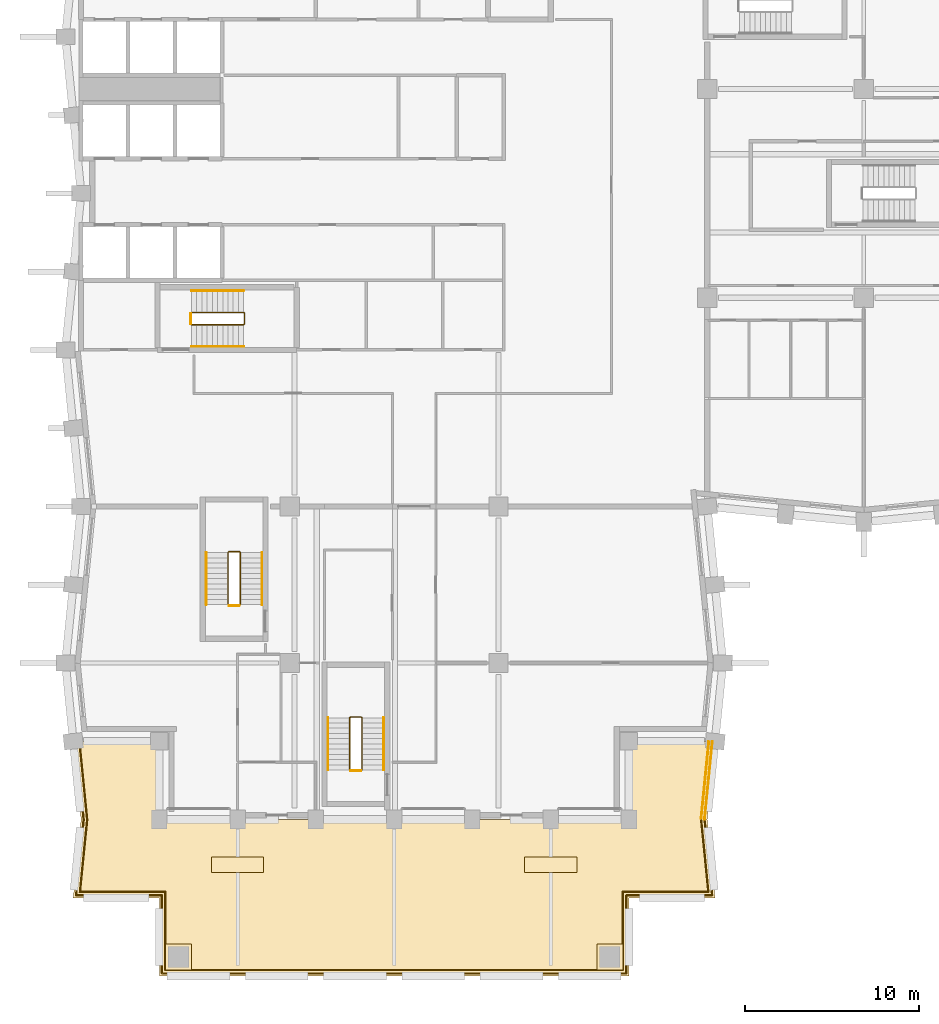
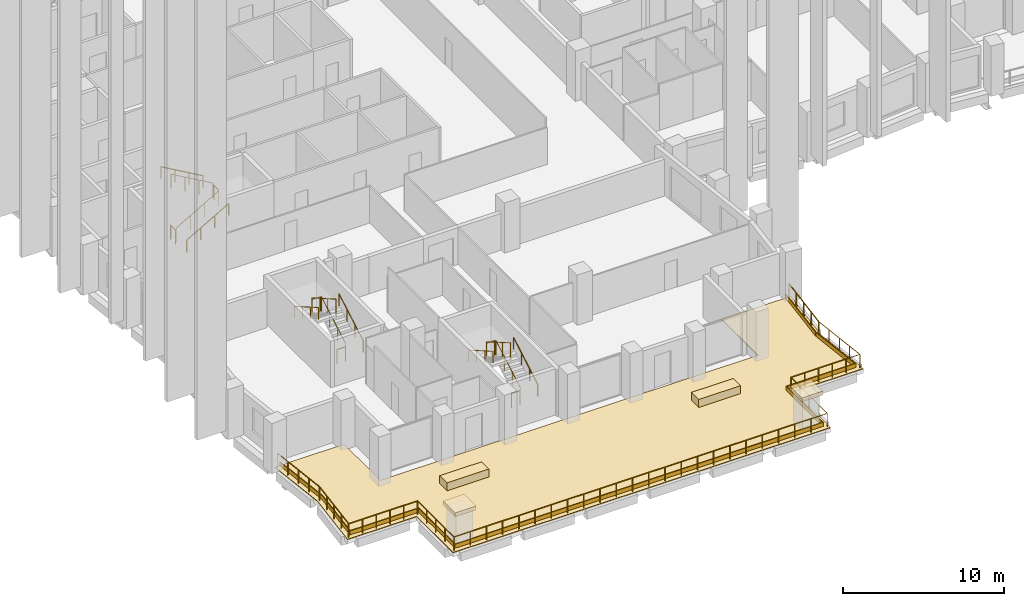
# One storey, part 16 of 18: 14 railings, 7 coverings.
"""IFC4 building model written with IfcOpenShell, lengths in metres."""

from ifc_helpers import new_model, si_unit, direction, frame, origin, origin_2d, place, context, subcontext, project, spatial, polyline, rectangle, circle, outline, extrude, material, layer, layer_set, type_object, element, save


model = new_model("IFC4")

# Units and contexts
model_context = context("Model", 3, precision=1e-05, world=origin(), true_north=direction((0.0, 1.0)))
body_context = subcontext(model_context, "Body", "Model", "MODEL_VIEW")
ifc_project = project(units=[si_unit("LENGTHUNIT", "METRE"), si_unit("AREAUNIT", "SQUARE_METRE"), si_unit("VOLUMEUNIT", "CUBIC_METRE"), si_unit("PLANEANGLEUNIT", "RADIAN"), si_unit("MASSUNIT", "GRAM", prefix="KILO")], contexts=[model_context])

# Site, building, storey
site_placement = place(None, origin())
site = spatial("IfcSite", under=ifc_project, at=site_placement, CompositionType="ELEMENT")
building_placement = place(site_placement, origin())
building = spatial("IfcBuilding", under=site, at=building_placement, Name="Brondeck Convention Tower", CompositionType="ELEMENT")
storey_placement = place(building_placement, frame((0.0, 0.0, 143.39990234375)))
storey = spatial("IfcBuildingStorey", under=building, at=storey_placement, Name="L34", CompositionType="ELEMENT", Elevation=143.39990234375)

# Railings
ifc_material_1 = material(Name="Steel S355, bronze painted", Category="steel")
railing_type_1 = type_object("IfcRailingType", Name="Guard, bronze steel rail and posts", PredefinedType="GUARDRAIL", material=ifc_material_1)
railing_1_placement = place(storey_placement, frame((35.8505859375, 8.985107421875, 0.0)))
element("IfcRailing", 1, at=railing_1_placement, inside=storey, type_object=railing_type_1, Name="ENV-S1-1a-RL1", PredefinedType="GUARDRAIL", context=body_context, shape_type="SweptSolid", body=[
    extrude(circle(Radius=0.02490234375, at=origin_2d()), frame((0.0, 0.0, 1.0751953125), z_axis=(0.099520363435, -0.995035525628, 0.0), x_axis=(0.995035525628, 0.099520363435, 0.0)), (0.0, 0.0, 1.0), 4.35693359375),
    extrude(circle(Radius=0.02490234375, at=origin_2d()), frame((0.43359375, -4.335205078125, 1.0751953125), z_axis=(-1.0, 0.0, 0.0), x_axis=(0.0, -1.0, 0.0)), (0.0, 0.0, 1.0), 4.93408203125),
    extrude(circle(Radius=0.02490234375, at=origin_2d()), frame((-4.50048828125, -4.335205078125, 1.0751953125), z_axis=(0.0, -1.0, 0.0), x_axis=(1.0, 0.0, 0.0)), (0.0, 0.0, 1.0), 4.5),
    extrude(circle(Radius=0.02490234375, at=origin_2d()), frame((-4.50048828125, -8.835205078125, 1.0751953125), z_axis=(-1.0, 0.0, 0.0), x_axis=(0.0, -1.0, 0.0)), (0.0, 0.0, 1.0), 26.7001953125),
    extrude(circle(Radius=0.02490234375, at=origin_2d()), frame((-31.20068359375, -8.835205078125, 1.0751953125), z_axis=(0.0, 1.0, 0.0), x_axis=(-1.0, 0.0, 0.0)), (0.0, 0.0, 1.0), 4.5),
    extrude(circle(Radius=0.02490234375, at=origin_2d()), frame((-31.20068359375, -4.335205078125, 1.0751953125), z_axis=(-1.0, 0.0, 0.0), x_axis=(0.0, -1.0, 0.0)), (0.0, 0.0, 1.0), 4.93408203125),
    extrude(circle(Radius=0.02490234375, at=origin_2d()), frame((-36.134765625, -4.335205078125, 1.0751953125), z_axis=(0.099459485464, 0.995041612573, 0.0), x_axis=(-0.995041612573, 0.099459485464, 0.0)), (0.0, 0.0, 1.0), 4.371826171875),
    extrude(circle(Radius=0.02490234375, at=origin_2d()), frame((-35.699951171875, 0.014892578125, 1.0751953125), z_axis=(-0.09946062227, 0.995041498943, 0.0), x_axis=(-0.995041498943, -0.09946062227, 0.0)), (0.0, 0.0, 1.0), 4.487060546875),
    extrude(circle(Radius=0.02490234375, at=origin_2d()), origin(), (0.0, 0.0, 1.0), 1.050048828125),
    extrude(circle(Radius=0.02490234375, at=origin_2d()), frame((0.1083984375, -1.083740234375, 0.0)), (0.0, 0.0, 1.0), 1.050048828125),
    extrude(circle(Radius=0.02490234375, at=origin_2d()), frame((0.216796875, -2.16748046875, 0.0)), (0.0, 0.0, 1.0), 1.050048828125),
    extrude(circle(Radius=0.02490234375, at=origin_2d()), frame((0.3251953125, -3.25146484375, 0.0)), (0.0, 0.0, 1.0), 1.050048828125),
    extrude(circle(Radius=0.02490234375, at=origin_2d()), frame((0.43359375, -4.335205078125, 0.0)), (0.0, 0.0, 1.0), 1.050048828125),
    extrude(circle(Radius=0.02490234375, at=origin_2d()), frame((-0.55322265625, -4.335205078125, 0.0)), (0.0, 0.0, 1.0), 1.050048828125),
    extrude(circle(Radius=0.02490234375, at=origin_2d()), frame((-1.5400390625, -4.335205078125, 0.0)), (0.0, 0.0, 1.0), 1.050048828125),
    extrude(circle(Radius=0.02490234375, at=origin_2d()), frame((-2.52685546875, -4.335205078125, 0.0)), (0.0, 0.0, 1.0), 1.050048828125),
    extrude(circle(Radius=0.02490234375, at=origin_2d()), frame((-3.513671875, -4.335205078125, 0.0)), (0.0, 0.0, 1.0), 1.050048828125),
    extrude(circle(Radius=0.02490234375, at=origin_2d()), frame((-4.50048828125, -4.335205078125, 0.0)), (0.0, 0.0, 1.0), 1.050048828125),
    extrude(circle(Radius=0.02490234375, at=origin_2d()), frame((-4.50048828125, -5.460205078125, 0.0)), (0.0, 0.0, 1.0), 1.050048828125),
    extrude(circle(Radius=0.02490234375, at=origin_2d()), frame((-4.50048828125, -6.585205078125, 0.0)), (0.0, 0.0, 1.0), 1.050048828125),
    extrude(circle(Radius=0.02490234375, at=origin_2d()), frame((-4.50048828125, -7.710205078125, 0.0)), (0.0, 0.0, 1.0), 1.050048828125),
    extrude(circle(Radius=0.02490234375, at=origin_2d()), frame((-4.50048828125, -8.835205078125, 0.0)), (0.0, 0.0, 1.0), 1.050048828125),
    extrude(circle(Radius=0.02490234375, at=origin_2d()), frame((-5.661376953125, -8.835205078125, 0.0)), (0.0, 0.0, 1.0), 1.050048828125),
    extrude(circle(Radius=0.02490234375, at=origin_2d()), frame((-6.822265625, -8.835205078125, 0.0)), (0.0, 0.0, 1.0), 1.050048828125),
    extrude(circle(Radius=0.02490234375, at=origin_2d()), frame((-7.983154296875, -8.835205078125, 0.0)), (0.0, 0.0, 1.0), 1.050048828125),
    extrude(circle(Radius=0.02490234375, at=origin_2d()), frame((-9.14404296875, -8.835205078125, 0.0)), (0.0, 0.0, 1.0), 1.050048828125),
    extrude(circle(Radius=0.02490234375, at=origin_2d()), frame((-10.304931640625, -8.835205078125, 0.0)), (0.0, 0.0, 1.0), 1.050048828125),
    extrude(circle(Radius=0.02490234375, at=origin_2d()), frame((-11.4658203125, -8.835205078125, 0.0)), (0.0, 0.0, 1.0), 1.050048828125),
    extrude(circle(Radius=0.02490234375, at=origin_2d()), frame((-12.626708984375, -8.835205078125, 0.0)), (0.0, 0.0, 1.0), 1.050048828125),
    extrude(circle(Radius=0.02490234375, at=origin_2d()), frame((-13.78759765625, -8.835205078125, 0.0)), (0.0, 0.0, 1.0), 1.050048828125),
    extrude(circle(Radius=0.02490234375, at=origin_2d()), frame((-14.948486328125, -8.835205078125, 0.0)), (0.0, 0.0, 1.0), 1.050048828125),
    extrude(circle(Radius=0.02490234375, at=origin_2d()), frame((-16.109375, -8.835205078125, 0.0)), (0.0, 0.0, 1.0), 1.050048828125),
    extrude(circle(Radius=0.02490234375, at=origin_2d()), frame((-17.270263671875, -8.835205078125, 0.0)), (0.0, 0.0, 1.0), 1.050048828125),
    extrude(circle(Radius=0.02490234375, at=origin_2d()), frame((-18.430908203125, -8.835205078125, 0.0)), (0.0, 0.0, 1.0), 1.050048828125),
    extrude(circle(Radius=0.02490234375, at=origin_2d()), frame((-19.591796875, -8.835205078125, 0.0)), (0.0, 0.0, 1.0), 1.050048828125),
    extrude(circle(Radius=0.02490234375, at=origin_2d()), frame((-20.752685546875, -8.835205078125, 0.0)), (0.0, 0.0, 1.0), 1.050048828125),
    extrude(circle(Radius=0.02490234375, at=origin_2d()), frame((-21.91357421875, -8.835205078125, 0.0)), (0.0, 0.0, 1.0), 1.050048828125),
    extrude(circle(Radius=0.02490234375, at=origin_2d()), frame((-23.074462890625, -8.835205078125, 0.0)), (0.0, 0.0, 1.0), 1.050048828125),
    extrude(circle(Radius=0.02490234375, at=origin_2d()), frame((-24.2353515625, -8.835205078125, 0.0)), (0.0, 0.0, 1.0), 1.050048828125),
    extrude(circle(Radius=0.02490234375, at=origin_2d()), frame((-25.396240234375, -8.835205078125, 0.0)), (0.0, 0.0, 1.0), 1.050048828125),
    extrude(circle(Radius=0.02490234375, at=origin_2d()), frame((-26.55712890625, -8.835205078125, 0.0)), (0.0, 0.0, 1.0), 1.050048828125),
    extrude(circle(Radius=0.02490234375, at=origin_2d()), frame((-27.718017578125, -8.835205078125, 0.0)), (0.0, 0.0, 1.0), 1.050048828125),
    extrude(circle(Radius=0.02490234375, at=origin_2d()), frame((-28.87890625, -8.835205078125, 0.0)), (0.0, 0.0, 1.0), 1.050048828125),
    extrude(circle(Radius=0.02490234375, at=origin_2d()), frame((-30.039794921875, -8.835205078125, 0.0)), (0.0, 0.0, 1.0), 1.050048828125),
    extrude(circle(Radius=0.02490234375, at=origin_2d()), frame((-31.20068359375, -8.835205078125, 0.0)), (0.0, 0.0, 1.0), 1.050048828125),
    extrude(circle(Radius=0.02490234375, at=origin_2d()), frame((-31.20068359375, -7.710205078125, 0.0)), (0.0, 0.0, 1.0), 1.050048828125),
    extrude(circle(Radius=0.02490234375, at=origin_2d()), frame((-31.20068359375, -6.585205078125, 0.0)), (0.0, 0.0, 1.0), 1.050048828125),
    extrude(circle(Radius=0.02490234375, at=origin_2d()), frame((-31.20068359375, -5.460205078125, 0.0)), (0.0, 0.0, 1.0), 1.050048828125),
    extrude(circle(Radius=0.02490234375, at=origin_2d()), frame((-31.20068359375, -4.335205078125, 0.0)), (0.0, 0.0, 1.0), 1.050048828125),
    extrude(circle(Radius=0.02490234375, at=origin_2d()), frame((-32.1875, -4.335205078125, 0.0)), (0.0, 0.0, 1.0), 1.050048828125),
    extrude(circle(Radius=0.02490234375, at=origin_2d()), frame((-33.17431640625, -4.335205078125, 0.0)), (0.0, 0.0, 1.0), 1.050048828125),
    extrude(circle(Radius=0.02490234375, at=origin_2d()), frame((-34.1611328125, -4.335205078125, 0.0)), (0.0, 0.0, 1.0), 1.050048828125),
    extrude(circle(Radius=0.02490234375, at=origin_2d()), frame((-35.14794921875, -4.335205078125, 0.0)), (0.0, 0.0, 1.0), 1.050048828125),
    extrude(circle(Radius=0.02490234375, at=origin_2d()), frame((-36.134765625, -4.335205078125, 0.0)), (0.0, 0.0, 1.0), 1.050048828125),
    extrude(circle(Radius=0.02490234375, at=origin_2d()), frame((-36.026123046875, -3.24755859375, 0.0)), (0.0, 0.0, 1.0), 1.050048828125),
    extrude(circle(Radius=0.02490234375, at=origin_2d()), frame((-35.91748046875, -2.16015625, 0.0)), (0.0, 0.0, 1.0), 1.050048828125),
    extrude(circle(Radius=0.02490234375, at=origin_2d()), frame((-35.80859375, -1.07275390625, 0.0)), (0.0, 0.0, 1.0), 1.050048828125),
    extrude(circle(Radius=0.02490234375, at=origin_2d()), frame((-35.699951171875, 0.014892578125, 0.0)), (0.0, 0.0, 1.0), 1.050048828125),
    extrude(circle(Radius=0.02490234375, at=origin_2d()), frame((-35.8115234375, 1.131103515625, 0.0)), (0.0, 0.0, 1.0), 1.050048828125),
    extrude(circle(Radius=0.02490234375, at=origin_2d()), frame((-35.923095703125, 2.247314453125, 0.0)), (0.0, 0.0, 1.0), 1.050048828125),
    extrude(circle(Radius=0.02490234375, at=origin_2d()), frame((-36.03466796875, 3.363525390625, 0.0)), (0.0, 0.0, 1.0), 1.050048828125),
    extrude(circle(Radius=0.02490234375, at=origin_2d()), frame((-36.146240234375, 4.479736328125, 0.0)), (0.0, 0.0, 1.0), 1.050048828125),
])
railing_2_placement = place(storey_placement, frame((36.295654296875, 13.46484375, 0.0)))
element("IfcRailing", 2, at=railing_2_placement, inside=storey, type_object=railing_type_1, Name="ENV-S1-1b-RL1", PredefinedType="GUARDRAIL", context=body_context, shape_type="SweptSolid", body=[
    extrude(circle(Radius=0.02490234375, at=origin_2d()), frame((0.0, 0.0, 1.0751953125), z_axis=(-0.099519934244, -0.995035568554, 0.0), x_axis=(0.995035568554, -0.099519934244, 0.0)), (0.0, 0.0, 1.0), 4.47216796875),
    extrude(circle(Radius=0.02490234375, at=origin_2d()), origin(), (0.0, 0.0, 1.0), 1.050048828125),
    extrude(circle(Radius=0.02490234375, at=origin_2d()), frame((-0.111328125, -1.112548828125, 0.0)), (0.0, 0.0, 1.0), 1.050048828125),
    extrude(circle(Radius=0.02490234375, at=origin_2d()), frame((-0.22265625, -2.22509765625, 0.0)), (0.0, 0.0, 1.0), 1.050048828125),
    extrude(circle(Radius=0.02490234375, at=origin_2d()), frame((-0.333740234375, -3.33740234375, 0.0)), (0.0, 0.0, 1.0), 1.050048828125),
    extrude(circle(Radius=0.02490234375, at=origin_2d()), frame((-0.445068359375, -4.449951171875, 0.0)), (0.0, 0.0, 1.0), 1.050048828125),
])

# Coverings
ifc_material_2 = material(Name="Aluminium, bronze anodised planter with soil", Category="aluminium")
ifc_layer_1 = layer(ifc_material_2, 0.199951171875)
ifc_layer_set_1 = layer_set([ifc_layer_1], Name="Roof planter")
covering_type_1 = type_object("IfcCoveringType", Name="Roof planter", PredefinedType="USERDEFINED", material=ifc_layer_set_1)
for number, where, z_axis, x_axis, name in (
    (3, (9.0, 6.39990234375, 0.050048828125), (0.0, 0.0, 1.0), (1.0, 0.0, 0.0), "ENV-S1-1-PL01"),
    (4, (27.0, 6.39990234375, 0.050048828125), (0.0, 0.0, 1.0), (1.0, 0.0, 0.0), "ENV-S1-1-PL02"),
):
    element("IfcCovering", number, at=place(storey_placement, frame(where, z_axis=z_axis, x_axis=x_axis)), inside=storey, type_object=covering_type_1, Name=name, ObjectType="PLANTER", PredefinedType="USERDEFINED", context=body_context, shape_type="SweptSolid", body=[
        extrude(rectangle(XDim=3.0, YDim=0.89990234375, at=origin_2d()), origin(), (0.0, 0.0, 1.0), 0.60009765625),
    ])
ifc_material_3 = material(Name="Aluminium, bronze anodised", Category="aluminium")
ifc_layer_2 = layer(ifc_material_3, 0.050048828125)
ifc_layer_set_2 = layer_set([ifc_layer_2], Name="Snow retention bar")
covering_type_2 = type_object("IfcCoveringType", Name="Snow retention bar", PredefinedType="MOLDING", material=ifc_layer_set_2)
covering_1_placement = place(storey_placement, frame((0.0, 0.0, 0.050048828125)))
element("IfcCovering", 5, at=covering_1_placement, inside=storey, type_object=covering_type_2, Name="ENV-S1-1a-SR1", PredefinedType="MOLDING", context=body_context, shape_type="SweptSolid", body=[
    extrude(outline(polyline([(36.0908203125, 4.824951171875), (35.676513671875, 8.9677734375), (35.626953125, 8.962646484375), (36.03564453125, 4.875), (31.125, 4.875), (31.125, 0.375), (4.875, 0.375), (4.875, 4.875), (-0.03564453125, 4.875), (0.376953125, 9.0), (-0.072021484375, 13.4873046875), (-0.12158203125, 13.482421875), (0.32666015625, 9.0), (-0.0908203125, 4.824951171875), (4.824951171875, 4.824951171875), (4.824951171875, 0.324951171875), (31.175048828125, 0.324951171875), (31.175048828125, 4.824951171875), (36.0908203125, 4.824951171875)])), origin(), (0.0, 0.0, 1.0), 0.300048828125),
])
covering_2_placement = place(storey_placement, frame((0.0, 0.0, 0.050048828125)))
element("IfcCovering", 6, at=covering_2_placement, inside=storey, type_object=covering_type_2, Name="ENV-S1-1b-SR1", PredefinedType="MOLDING", context=body_context, shape_type="SweptSolid", body=[
    extrude(outline(polyline([(35.676513671875, 9.0322265625), (36.12158203125, 13.482421875), (36.072021484375, 13.4873046875), (35.626953125, 9.037353515625), (35.676513671875, 9.0322265625)])), origin(), (0.0, 0.0, 1.0), 0.300048828125),
])

# Railings
ifc_material_4 = material(Name="Steel S355", Category="steel")
railing_type_2 = type_object("IfcRailingType", Name="Stair guard 1100", PredefinedType="GUARDRAIL", material=ifc_material_4)
railing_3_placement = place(storey_placement, frame((6.35009765625, 37.449951171875, 0.1728515625)))
element("IfcRailing", 7, at=railing_3_placement, inside=storey, type_object=railing_type_2, Name="L34 ST-1 stair guard 1", PredefinedType="GUARDRAIL", context=body_context, shape_type="SweptSolid", body=[
    extrude(circle(Radius=0.02392578125, at=origin_2d()), frame((0.0, 0.0, 1.076171875), z_axis=(0.866619684472, 0.0, 0.498969260062), x_axis=(0.0, 1.0, 0.0)), (0.0, 0.0, 1.0), 3.461669921875),
    extrude(circle(Radius=0.02392578125, at=origin_2d()), frame((3.0, 0.0, 2.80322265625), z_axis=(0.705375805398, 0.708833529934, 0.0), x_axis=(-0.708833529934, 0.705375805398, 0.0)), (0.0, 0.0, 1.0), 0.070556640625),
    extrude(circle(Radius=0.02392578125, at=origin_2d()), frame((3.0498046875, 0.050048828125, 2.80322265625), z_axis=(0.0, 1.0, 0.0), x_axis=(-1.0, 0.0, 0.0)), (0.0, 0.0, 1.0), 0.60009765625),
    extrude(circle(Radius=0.02392578125, at=origin_2d()), frame((3.0498046875, 0.650146484375, 2.80322265625), z_axis=(-0.26715648603, 0.26715648603, 0.925880566782), x_axis=(-0.707106781187, -0.707106781187, 0.0)), (0.0, 0.0, 1.0), 0.1865234375),
    extrude(circle(Radius=0.02392578125, at=origin_2d()), frame((3.0, 0.699951171875, 2.97607421875), z_axis=(-0.866619684472, 0.0, 0.498969260062), x_axis=(0.0, -1.0, 0.0)), (0.0, 0.0, 1.0), 3.461669921875),
    extrude(circle(Radius=0.02099609375, at=origin_2d()), origin(), (0.0, 0.0, 1.0), 1.052001953125),
    extrude(circle(Radius=0.02099609375, at=origin_2d()), frame((1.0, 0.0, 0.57568359375)), (0.0, 0.0, 1.0), 1.052001953125),
    extrude(circle(Radius=0.02099609375, at=origin_2d()), frame((2.0, 0.0, 1.151611328125)), (0.0, 0.0, 1.0), 1.052001953125),
    extrude(circle(Radius=0.02099609375, at=origin_2d()), frame((3.0, 0.0, 1.727294921875)), (0.0, 0.0, 1.0), 1.052001953125),
    extrude(circle(Radius=0.02099609375, at=origin_2d()), frame((3.0498046875, 0.050048828125, 1.727294921875)), (0.0, 0.0, 1.0), 1.052001953125),
    extrude(circle(Radius=0.02099609375, at=origin_2d()), frame((3.0498046875, 0.650146484375, 1.727294921875)), (0.0, 0.0, 1.0), 1.052001953125),
    extrude(circle(Radius=0.02099609375, at=origin_2d()), frame((3.0, 0.699951171875, 1.89990234375)), (0.0, 0.0, 1.0), 1.052001953125),
    extrude(circle(Radius=0.02099609375, at=origin_2d()), frame((2.0, 0.699951171875, 2.4755859375)), (0.0, 0.0, 1.0), 1.052001953125),
    extrude(circle(Radius=0.02099609375, at=origin_2d()), frame((1.0, 0.699951171875, 3.051513671875)), (0.0, 0.0, 1.0), 1.052001953125),
    extrude(circle(Radius=0.02099609375, at=origin_2d()), frame((0.0, 0.699951171875, 3.627197265625)), (0.0, 0.0, 1.0), 1.052001953125),
])
railing_4_placement = place(storey_placement, frame((6.300048828125, 37.5, 0.0)))
element("IfcRailing", 8, at=railing_4_placement, inside=storey, type_object=railing_type_2, Name="L34 ST-1 stair guard 2", PredefinedType="GUARDRAIL", context=body_context, shape_type="SweptSolid", body=[
    extrude(circle(Radius=0.02392578125, at=origin_2d()), frame((0.0, 0.0, 1.076171875), z_axis=(0.0, 1.0, 0.0), x_axis=(-1.0, 0.0, 0.0)), (0.0, 0.0, 1.0), 0.60009765625),
    extrude(circle(Radius=0.02099609375, at=origin_2d()), origin(), (0.0, 0.0, 1.0), 1.052001953125),
    extrude(circle(Radius=0.02099609375, at=origin_2d()), frame((0.0, 0.60009765625, 0.0)), (0.0, 0.0, 1.0), 1.052001953125),
])
railing_5_placement = place(storey_placement, frame((9.14990234375, 21.35009765625, 0.1728515625)))
element("IfcRailing", 9, at=railing_5_placement, inside=storey, type_object=railing_type_2, Name="L34 ST-BE stair guard 1", PredefinedType="GUARDRAIL", context=body_context, shape_type="SweptSolid", body=[
    extrude(circle(Radius=0.02392578125, at=origin_2d()), frame((0.0, 0.0, 1.076171875), z_axis=(0.0, 0.866619684472, 0.498969260062), x_axis=(-1.0, 0.0, 0.0)), (0.0, 0.0, 1.0), 3.461669921875),
    extrude(circle(Radius=0.02392578125, at=origin_2d()), frame((0.0, 3.0, 2.80322265625), z_axis=(-0.707106781187, 0.707106781187, 0.0), x_axis=(-0.707106781187, -0.707106781187, 0.0)), (0.0, 0.0, 1.0), 0.0703125),
    extrude(circle(Radius=0.02392578125, at=origin_2d()), frame((-0.0498046875, 3.0498046875, 2.80322265625), z_axis=(-1.0, 0.0, 0.0), x_axis=(0.0, -1.0, 0.0)), (0.0, 0.0, 1.0), 0.60009765625),
    extrude(circle(Radius=0.02392578125, at=origin_2d()), frame((-0.64990234375, 3.0498046875, 2.80322265625), z_axis=(-0.268371968888, -0.267062837333, 0.925556009775), x_axis=(0.705375805398, -0.708833529934, 0.0)), (0.0, 0.0, 1.0), 0.1865234375),
    extrude(circle(Radius=0.02392578125, at=origin_2d()), frame((-0.699951171875, 3.0, 2.97607421875), z_axis=(0.0, -0.866619684472, 0.498969260062), x_axis=(1.0, 0.0, 0.0)), (0.0, 0.0, 1.0), 3.461669921875),
    extrude(circle(Radius=0.02099609375, at=origin_2d()), origin(), (0.0, 0.0, 1.0), 1.052001953125),
    extrude(circle(Radius=0.02099609375, at=origin_2d()), frame((0.0, 1.0, 0.57568359375)), (0.0, 0.0, 1.0), 1.052001953125),
    extrude(circle(Radius=0.02099609375, at=origin_2d()), frame((0.0, 2.0, 1.151611328125)), (0.0, 0.0, 1.0), 1.052001953125),
    extrude(circle(Radius=0.02099609375, at=origin_2d()), frame((0.0, 3.0, 1.727294921875)), (0.0, 0.0, 1.0), 1.052001953125),
    extrude(circle(Radius=0.02099609375, at=origin_2d()), frame((-0.0498046875, 3.0498046875, 1.727294921875)), (0.0, 0.0, 1.0), 1.052001953125),
    extrude(circle(Radius=0.02099609375, at=origin_2d()), frame((-0.64990234375, 3.0498046875, 1.727294921875)), (0.0, 0.0, 1.0), 1.052001953125),
    extrude(circle(Radius=0.02099609375, at=origin_2d()), frame((-0.699951171875, 3.0, 1.89990234375)), (0.0, 0.0, 1.0), 1.052001953125),
    extrude(circle(Radius=0.02099609375, at=origin_2d()), frame((-0.699951171875, 2.0, 2.4755859375)), (0.0, 0.0, 1.0), 1.052001953125),
    extrude(circle(Radius=0.02099609375, at=origin_2d()), frame((-0.699951171875, 1.0, 3.051513671875)), (0.0, 0.0, 1.0), 1.052001953125),
    extrude(circle(Radius=0.02099609375, at=origin_2d()), frame((-0.699951171875, 0.0, 3.627197265625)), (0.0, 0.0, 1.0), 1.052001953125),
])
railing_6_placement = place(storey_placement, frame((9.10009765625, 21.300048828125, 0.0)))
element("IfcRailing", 10, at=railing_6_placement, inside=storey, type_object=railing_type_2, Name="L34 ST-BE stair guard 2", PredefinedType="GUARDRAIL", context=body_context, shape_type="SweptSolid", body=[
    extrude(circle(Radius=0.02392578125, at=origin_2d()), frame((0.0, 0.0, 1.076171875), z_axis=(-1.0, 0.0, 0.0), x_axis=(0.0, -1.0, 0.0)), (0.0, 0.0, 1.0), 0.60009765625),
    extrude(circle(Radius=0.02099609375, at=origin_2d()), origin(), (0.0, 0.0, 1.0), 1.052001953125),
    extrude(circle(Radius=0.02099609375, at=origin_2d()), frame((-0.60009765625, 0.0, 0.0)), (0.0, 0.0, 1.0), 1.052001953125),
])
railing_7_placement = place(storey_placement, frame((16.14990234375, 11.85009765625, 0.1728515625)))
element("IfcRailing", 11, at=railing_7_placement, inside=storey, type_object=railing_type_2, Name="L34 ST-BF stair guard 1", PredefinedType="GUARDRAIL", context=body_context, shape_type="SweptSolid", body=[
    extrude(circle(Radius=0.02392578125, at=origin_2d()), frame((0.0, 0.0, 1.076171875), z_axis=(0.0, 0.866619684472, 0.498969260062), x_axis=(-1.0, 0.0, 0.0)), (0.0, 0.0, 1.0), 3.461669921875),
    extrude(circle(Radius=0.02392578125, at=origin_2d()), frame((0.0, 3.0, 2.80322265625), z_axis=(-0.707106781187, 0.707106781187, 0.0), x_axis=(-0.707106781187, -0.707106781187, 0.0)), (0.0, 0.0, 1.0), 0.0703125),
    extrude(circle(Radius=0.02392578125, at=origin_2d()), frame((-0.0498046875, 3.0498046875, 2.80322265625), z_axis=(-1.0, 0.0, 0.0), x_axis=(0.0, -1.0, 0.0)), (0.0, 0.0, 1.0), 0.60009765625),
    extrude(circle(Radius=0.02392578125, at=origin_2d()), frame((-0.64990234375, 3.0498046875, 2.80322265625), z_axis=(-0.268371968888, -0.267062837333, 0.925556009775), x_axis=(0.705375805398, -0.708833529934, 0.0)), (0.0, 0.0, 1.0), 0.1865234375),
    extrude(circle(Radius=0.02392578125, at=origin_2d()), frame((-0.699951171875, 3.0, 2.97607421875), z_axis=(0.0, -0.866619684472, 0.498969260062), x_axis=(1.0, 0.0, 0.0)), (0.0, 0.0, 1.0), 3.461669921875),
    extrude(circle(Radius=0.02099609375, at=origin_2d()), origin(), (0.0, 0.0, 1.0), 1.052001953125),
    extrude(circle(Radius=0.02099609375, at=origin_2d()), frame((0.0, 1.0, 0.57568359375)), (0.0, 0.0, 1.0), 1.052001953125),
    extrude(circle(Radius=0.02099609375, at=origin_2d()), frame((0.0, 2.0, 1.151611328125)), (0.0, 0.0, 1.0), 1.052001953125),
    extrude(circle(Radius=0.02099609375, at=origin_2d()), frame((0.0, 3.0, 1.727294921875)), (0.0, 0.0, 1.0), 1.052001953125),
    extrude(circle(Radius=0.02099609375, at=origin_2d()), frame((-0.0498046875, 3.0498046875, 1.727294921875)), (0.0, 0.0, 1.0), 1.052001953125),
    extrude(circle(Radius=0.02099609375, at=origin_2d()), frame((-0.64990234375, 3.0498046875, 1.727294921875)), (0.0, 0.0, 1.0), 1.052001953125),
    extrude(circle(Radius=0.02099609375, at=origin_2d()), frame((-0.699951171875, 3.0, 1.89990234375)), (0.0, 0.0, 1.0), 1.052001953125),
    extrude(circle(Radius=0.02099609375, at=origin_2d()), frame((-0.699951171875, 2.0, 2.4755859375)), (0.0, 0.0, 1.0), 1.052001953125),
    extrude(circle(Radius=0.02099609375, at=origin_2d()), frame((-0.699951171875, 1.0, 3.051513671875)), (0.0, 0.0, 1.0), 1.052001953125),
    extrude(circle(Radius=0.02099609375, at=origin_2d()), frame((-0.699951171875, 0.0, 3.627197265625)), (0.0, 0.0, 1.0), 1.052001953125),
])
railing_8_placement = place(storey_placement, frame((16.10009765625, 11.800048828125, 0.0)))
element("IfcRailing", 12, at=railing_8_placement, inside=storey, type_object=railing_type_2, Name="L34 ST-BF stair guard 2", PredefinedType="GUARDRAIL", context=body_context, shape_type="SweptSolid", body=[
    extrude(circle(Radius=0.02392578125, at=origin_2d()), frame((0.0, 0.0, 1.076171875), z_axis=(-1.0, 0.0, 0.0), x_axis=(0.0, -1.0, 0.0)), (0.0, 0.0, 1.0), 0.60009765625),
    extrude(circle(Radius=0.02099609375, at=origin_2d()), origin(), (0.0, 0.0, 1.0), 1.052001953125),
    extrude(circle(Radius=0.02099609375, at=origin_2d()), frame((-0.60009765625, 0.0, 0.0)), (0.0, 0.0, 1.0), 1.052001953125),
])
railing_type_3 = type_object("IfcRailingType", Name="Stair handrail", PredefinedType="HANDRAIL", material=ifc_material_4)
railing_9_placement = place(storey_placement, frame((6.35009765625, 36.199951171875, 0.1728515625)))
element("IfcRailing", 13, at=railing_9_placement, inside=storey, type_object=railing_type_3, Name="L34 ST-1 stair handrail 1", PredefinedType="HANDRAIL", context=body_context, shape_type="SweptSolid", body=[
    extrude(circle(Radius=0.02392578125, at=origin_2d()), frame((0.0, 0.0, 0.8759765625), z_axis=(0.866619684472, 0.0, 0.498969260062), x_axis=(0.0, 1.0, 0.0)), (0.0, 0.0, 1.0), 3.461669921875),
    extrude(circle(Radius=0.02099609375, at=origin_2d()), origin(), (0.0, 0.0, 1.0), 0.851806640625),
    extrude(circle(Radius=0.02099609375, at=origin_2d()), frame((1.0, 0.0, 0.57568359375)), (0.0, 0.0, 1.0), 0.851806640625),
    extrude(circle(Radius=0.02099609375, at=origin_2d()), frame((2.0, 0.0, 1.151611328125)), (0.0, 0.0, 1.0), 0.851806640625),
    extrude(circle(Radius=0.02099609375, at=origin_2d()), frame((3.0, 0.0, 1.727294921875)), (0.0, 0.0, 1.0), 0.851806640625),
])
railing_10_placement = place(storey_placement, frame((9.35009765625, 39.39990234375, 2.07275390625)))
element("IfcRailing", 14, at=railing_10_placement, inside=storey, type_object=railing_type_3, Name="L34 ST-1 stair handrail 2", PredefinedType="HANDRAIL", context=body_context, shape_type="SweptSolid", body=[
    extrude(circle(Radius=0.02392578125, at=origin_2d()), frame((0.0, 0.0, 0.8759765625), z_axis=(-0.866619684472, 0.0, 0.498969260062), x_axis=(0.0, -1.0, 0.0)), (0.0, 0.0, 1.0), 3.461669921875),
    extrude(circle(Radius=0.02099609375, at=origin_2d()), origin(), (0.0, 0.0, 1.0), 0.851806640625),
    extrude(circle(Radius=0.02099609375, at=origin_2d()), frame((-1.0, 0.0, 0.57568359375)), (0.0, 0.0, 1.0), 0.851806640625),
    extrude(circle(Radius=0.02099609375, at=origin_2d()), frame((-2.0, 0.0, 1.151611328125)), (0.0, 0.0, 1.0), 0.851806640625),
    extrude(circle(Radius=0.02099609375, at=origin_2d()), frame((-3.0, 0.0, 1.727294921875)), (0.0, 0.0, 1.0), 0.851806640625),
])
railing_11_placement = place(storey_placement, frame((10.39990234375, 21.35009765625, 0.1728515625)))
element("IfcRailing", 15, at=railing_11_placement, inside=storey, type_object=railing_type_3, Name="L34 ST-BE stair handrail 1", PredefinedType="HANDRAIL", context=body_context, shape_type="SweptSolid", body=[
    extrude(circle(Radius=0.02392578125, at=origin_2d()), frame((0.0, 0.0, 0.8759765625), z_axis=(0.0, 0.866619684472, 0.498969260062), x_axis=(-1.0, 0.0, 0.0)), (0.0, 0.0, 1.0), 3.461669921875),
    extrude(circle(Radius=0.02099609375, at=origin_2d()), origin(), (0.0, 0.0, 1.0), 0.851806640625),
    extrude(circle(Radius=0.02099609375, at=origin_2d()), frame((0.0, 1.0, 0.57568359375)), (0.0, 0.0, 1.0), 0.851806640625),
    extrude(circle(Radius=0.02099609375, at=origin_2d()), frame((0.0, 2.0, 1.151611328125)), (0.0, 0.0, 1.0), 0.851806640625),
    extrude(circle(Radius=0.02099609375, at=origin_2d()), frame((0.0, 3.0, 1.727294921875)), (0.0, 0.0, 1.0), 0.851806640625),
])
railing_12_placement = place(storey_placement, frame((7.199951171875, 24.35009765625, 2.07275390625)))
element("IfcRailing", 16, at=railing_12_placement, inside=storey, type_object=railing_type_3, Name="L34 ST-BE stair handrail 2", PredefinedType="HANDRAIL", context=body_context, shape_type="SweptSolid", body=[
    extrude(circle(Radius=0.02392578125, at=origin_2d()), frame((0.0, 0.0, 0.8759765625), z_axis=(0.0, -0.866619684472, 0.498969260062), x_axis=(1.0, 0.0, 0.0)), (0.0, 0.0, 1.0), 3.461669921875),
    extrude(circle(Radius=0.02099609375, at=origin_2d()), origin(), (0.0, 0.0, 1.0), 0.851806640625),
    extrude(circle(Radius=0.02099609375, at=origin_2d()), frame((0.0, -1.0, 0.57568359375)), (0.0, 0.0, 1.0), 0.851806640625),
    extrude(circle(Radius=0.02099609375, at=origin_2d()), frame((0.0, -2.0, 1.151611328125)), (0.0, 0.0, 1.0), 0.851806640625),
    extrude(circle(Radius=0.02099609375, at=origin_2d()), frame((0.0, -3.0, 1.727294921875)), (0.0, 0.0, 1.0), 0.851806640625),
])
railing_13_placement = place(storey_placement, frame((17.39990234375, 11.85009765625, 0.1728515625)))
element("IfcRailing", 17, at=railing_13_placement, inside=storey, type_object=railing_type_3, Name="L34 ST-BF stair handrail 1", PredefinedType="HANDRAIL", context=body_context, shape_type="SweptSolid", body=[
    extrude(circle(Radius=0.02392578125, at=origin_2d()), frame((0.0, 0.0, 0.8759765625), z_axis=(0.0, 0.866619684472, 0.498969260062), x_axis=(-1.0, 0.0, 0.0)), (0.0, 0.0, 1.0), 3.461669921875),
    extrude(circle(Radius=0.02099609375, at=origin_2d()), origin(), (0.0, 0.0, 1.0), 0.851806640625),
    extrude(circle(Radius=0.02099609375, at=origin_2d()), frame((0.0, 1.0, 0.57568359375)), (0.0, 0.0, 1.0), 0.851806640625),
    extrude(circle(Radius=0.02099609375, at=origin_2d()), frame((0.0, 2.0, 1.151611328125)), (0.0, 0.0, 1.0), 0.851806640625),
    extrude(circle(Radius=0.02099609375, at=origin_2d()), frame((0.0, 3.0, 1.727294921875)), (0.0, 0.0, 1.0), 0.851806640625),
])
railing_14_placement = place(storey_placement, frame((14.199951171875, 14.85009765625, 2.07275390625)))
element("IfcRailing", 18, at=railing_14_placement, inside=storey, type_object=railing_type_3, Name="L34 ST-BF stair handrail 2", PredefinedType="HANDRAIL", context=body_context, shape_type="SweptSolid", body=[
    extrude(circle(Radius=0.02392578125, at=origin_2d()), frame((0.0, 0.0, 0.8759765625), z_axis=(0.0, -0.866619684472, 0.498969260062), x_axis=(1.0, 0.0, 0.0)), (0.0, 0.0, 1.0), 3.461669921875),
    extrude(circle(Radius=0.02099609375, at=origin_2d()), origin(), (0.0, 0.0, 1.0), 0.851806640625),
    extrude(circle(Radius=0.02099609375, at=origin_2d()), frame((0.0, -1.0, 0.57568359375)), (0.0, 0.0, 1.0), 0.851806640625),
    extrude(circle(Radius=0.02099609375, at=origin_2d()), frame((0.0, -2.0, 1.151611328125)), (0.0, 0.0, 1.0), 0.851806640625),
    extrude(circle(Radius=0.02099609375, at=origin_2d()), frame((0.0, -3.0, 1.727294921875)), (0.0, 0.0, 1.0), 0.851806640625),
])

# Coverings
ifc_material_5 = material(Name="Precast concrete C50/60 bronze finish", Category="concrete")
ifc_layer_3 = layer(ifc_material_5, 1.5)
ifc_layer_set_3 = layer_set([ifc_layer_3], Name="Terrace finial cap, precast")
covering_type_3 = type_object("IfcCoveringType", Name="Terrace finial cap, precast", PredefinedType="MOLDING", material=ifc_layer_set_3)
covering_3_placement = place(storey_placement, frame((0.0, 0.0, 2.400146484375)))
element("IfcCovering", 19, at=covering_3_placement, inside=storey, type_object=covering_type_3, Name="ENV-FT-S1-1-1-C", PredefinedType="MOLDING", context=body_context, shape_type="SweptSolid", body=[
    extrude(outline(polyline([(6.35009765625, 0.35009765625), (6.35009765625, 1.85009765625), (4.85009765625, 1.85009765625), (4.85009765625, 0.35009765625), (6.35009765625, 0.35009765625)])), origin(), (0.0, 0.0, 1.0), 0.300048828125),
])
covering_4_placement = place(storey_placement, frame((0.0, 0.0, 2.400146484375)))
element("IfcCovering", 20, at=covering_4_placement, inside=storey, type_object=covering_type_3, Name="ENV-FT-S1-1-2-C", PredefinedType="MOLDING", context=body_context, shape_type="SweptSolid", body=[
    extrude(outline(polyline([(31.14990234375, 0.35009765625), (31.14990234375, 1.85009765625), (29.64990234375, 1.85009765625), (29.64990234375, 0.35009765625), (31.14990234375, 0.35009765625)])), origin(), (0.0, 0.0, 1.0), 0.300048828125),
])
ifc_material_6 = material(Name="Granite paving", Category="masonry")
ifc_layer_4 = layer(ifc_material_6, 0.050048828125)
ifc_layer_set_4 = layer_set([ifc_layer_4], Name="Terrace paving")
covering_type_4 = type_object("IfcCoveringType", Name="Terrace paving", PredefinedType="FLOORING", material=ifc_layer_set_4)
covering_5_placement = place(storey_placement, origin())
element("IfcCovering", 21, at=covering_5_placement, inside=storey, type_object=covering_type_4, Name="ENV-S1-1-PV1", PredefinedType="FLOORING", context=body_context, shape_type="SweptSolid", body=[
    extrude(outline(polyline([(36.0, 9.0), (36.449951171875, 13.5), (31.5, 13.5), (31.5, 9.0), (4.5, 9.0), (4.5, 13.5), (-0.449951171875, 13.5), (0.0, 9.0), (-0.449951171875, 4.5), (4.5, 4.5), (4.5, 0.0), (31.5, 0.0), (31.5, 4.5), (36.449951171875, 4.5), (36.0, 9.0)])), origin(), (0.0, 0.0, 1.0), 0.050048828125),
])

save(model, "model.ifc")
